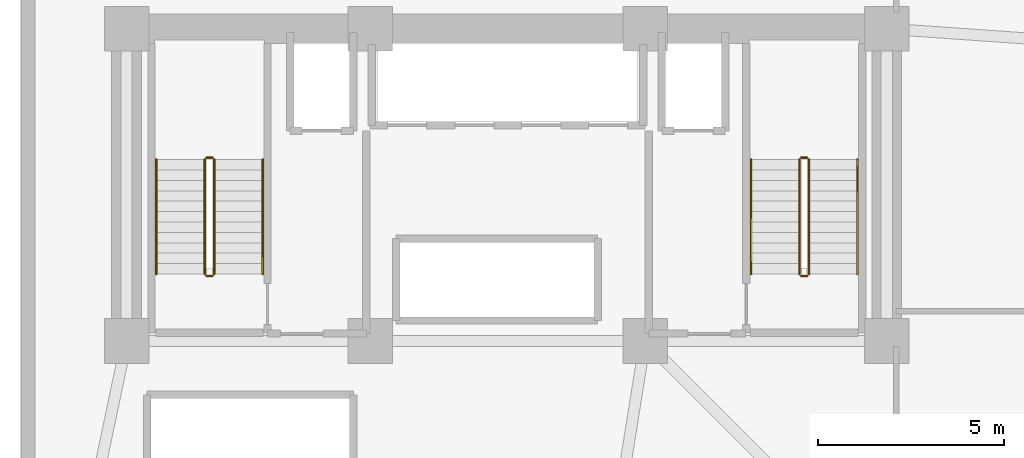
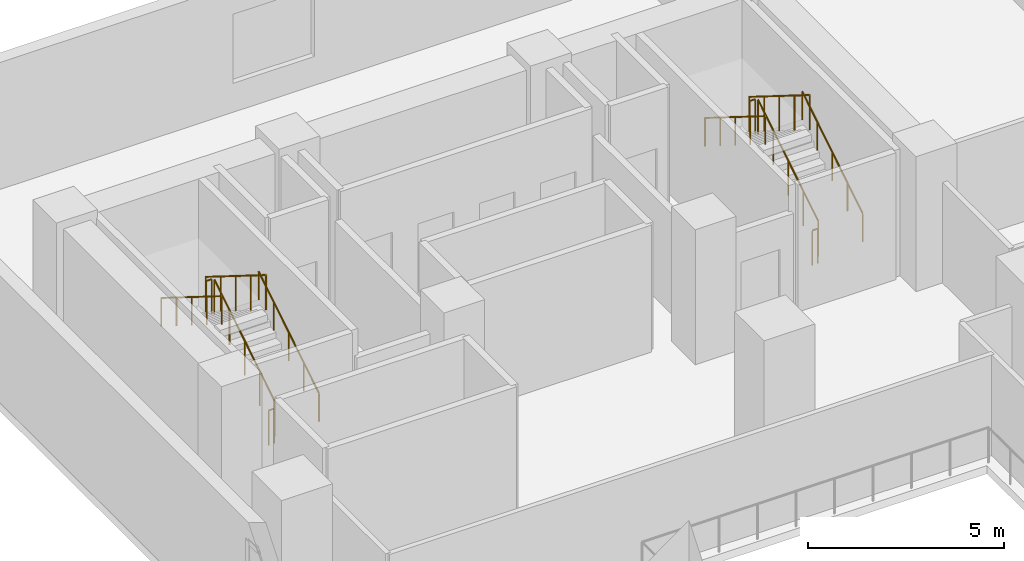
# One storey, part 13 of 14: 12 railings.
"""IFC4 building model written with IfcOpenShell, lengths in metres."""

from ifc_helpers import new_model, si_unit, direction, frame, origin, origin_2d, place, context, subcontext, project, spatial, circle, extrude, material, layer, layer_set, type_object, element, save


model = new_model("IFC4")

# Units and contexts
model_context = context("Model", 3, precision=1e-05, world=origin(), true_north=direction((0.0, 1.0)))
body_context = subcontext(model_context, "Body", "Model", "MODEL_VIEW")
ifc_project = project(units=[si_unit("LENGTHUNIT", "METRE"), si_unit("AREAUNIT", "SQUARE_METRE"), si_unit("VOLUMEUNIT", "CUBIC_METRE"), si_unit("PLANEANGLEUNIT", "RADIAN"), si_unit("MASSUNIT", "GRAM", prefix="KILO")], contexts=[model_context])

# Site, building, storey
site_placement = place(None, origin())
site = spatial("IfcSite", under=ifc_project, at=site_placement, CompositionType="ELEMENT")
building_placement = place(site_placement, origin())
building = spatial("IfcBuilding", under=site, at=building_placement, Name="Kuzgunbayir Cultural Tower", CompositionType="ELEMENT")
storey_placement = place(building_placement, frame((0.0, 0.0, 8.800048828125)))
storey = spatial("IfcBuildingStorey", under=building, at=storey_placement, Name="L02", CompositionType="ELEMENT", Elevation=8.800048828125)

# Railings
ifc_material_1 = material(Name="Brushed Stainless Steel", Category="steel")
ifc_layer_1 = layer(ifc_material_1, 0.050048828125)
ifc_layer_set_1 = layer_set([ifc_layer_1], Name="Brushed Stainless Steel")
railing_type_1 = type_object("IfcRailingType", Name="RLG-STAIR-HANDRAIL", PredefinedType="HANDRAIL", material=ifc_layer_set_1)
railing_1_placement = place(storey_placement, frame((10.110107421875, 35.60009765625, 0.175048828125)))
element("IfcRailing", 1, at=railing_1_placement, inside=storey, type_object=railing_type_1, Name="L02 ST-1 stair handrail 1", PredefinedType="HANDRAIL", context=body_context, shape_type="SweptSolid", body=[
    extrude(circle(Radius=0.02392578125, at=origin_2d()), frame((0.0, 0.0, 0.8759765625), z_axis=(0.0, 0.848009633417, 0.529980812513), x_axis=(-1.0, 0.0, 0.0)), (0.0, 0.0, 1.0), 3.6318359375),
    extrude(circle(Radius=0.02099609375, at=origin_2d()), origin(), (0.0, 0.0, 1.0), 0.851806640625),
    extrude(circle(Radius=0.02099609375, at=origin_2d()), frame((0.0, 0.77001953125, 0.481201171875)), (0.0, 0.0, 1.0), 0.851806640625),
    extrude(circle(Radius=0.02099609375, at=origin_2d()), frame((0.0, 1.5400390625, 0.96240234375)), (0.0, 0.0, 1.0), 0.851806640625),
    extrude(circle(Radius=0.02099609375, at=origin_2d()), frame((0.0, 2.309814453125, 1.443603515625)), (0.0, 0.0, 1.0), 0.851806640625),
    extrude(circle(Radius=0.02099609375, at=origin_2d()), frame((0.0, 3.079833984375, 1.9248046875)), (0.0, 0.0, 1.0), 0.851806640625),
])
railing_2_placement = place(storey_placement, frame((7.25, 38.679931640625, 2.27490234375)))
element("IfcRailing", 2, at=railing_2_placement, inside=storey, type_object=railing_type_1, Name="L02 ST-1 stair handrail 2", PredefinedType="HANDRAIL", context=body_context, shape_type="SweptSolid", body=[
    extrude(circle(Radius=0.02392578125, at=origin_2d()), frame((0.0, 0.0, 0.8759765625), z_axis=(0.0, -0.847979421464, 0.530029150871), x_axis=(1.0, 0.0, 0.0)), (0.0, 0.0, 1.0), 3.632080078125),
    extrude(circle(Radius=0.02099609375, at=origin_2d()), origin(), (0.0, 0.0, 1.0), 0.851806640625),
    extrude(circle(Radius=0.02099609375, at=origin_2d()), frame((0.0, -0.77001953125, 0.481201171875)), (0.0, 0.0, 1.0), 0.851806640625),
    extrude(circle(Radius=0.02099609375, at=origin_2d()), frame((0.0, -1.5400390625, 0.96240234375)), (0.0, 0.0, 1.0), 0.851806640625),
    extrude(circle(Radius=0.02099609375, at=origin_2d()), frame((0.0, -2.309814453125, 1.44384765625)), (0.0, 0.0, 1.0), 0.851806640625),
    extrude(circle(Radius=0.02099609375, at=origin_2d()), frame((0.0, -3.079833984375, 1.925048828125)), (0.0, 0.0, 1.0), 0.851806640625),
])
railing_3_placement = place(storey_placement, frame((26.110107421875, 35.60009765625, 0.175048828125)))
element("IfcRailing", 3, at=railing_3_placement, inside=storey, type_object=railing_type_1, Name="L02 ST-2 stair handrail 1", PredefinedType="HANDRAIL", context=body_context, shape_type="SweptSolid", body=[
    extrude(circle(Radius=0.02392578125, at=origin_2d()), frame((0.0, 0.0, 0.8759765625), z_axis=(0.0, 0.848009633417, 0.529980812513), x_axis=(-1.0, 0.0, 0.0)), (0.0, 0.0, 1.0), 3.6318359375),
    extrude(circle(Radius=0.02099609375, at=origin_2d()), origin(), (0.0, 0.0, 1.0), 0.851806640625),
    extrude(circle(Radius=0.02099609375, at=origin_2d()), frame((0.0, 0.77001953125, 0.481201171875)), (0.0, 0.0, 1.0), 0.851806640625),
    extrude(circle(Radius=0.02099609375, at=origin_2d()), frame((0.0, 1.5400390625, 0.96240234375)), (0.0, 0.0, 1.0), 0.851806640625),
    extrude(circle(Radius=0.02099609375, at=origin_2d()), frame((0.0, 2.309814453125, 1.443603515625)), (0.0, 0.0, 1.0), 0.851806640625),
    extrude(circle(Radius=0.02099609375, at=origin_2d()), frame((0.0, 3.079833984375, 1.9248046875)), (0.0, 0.0, 1.0), 0.851806640625),
])
railing_4_placement = place(storey_placement, frame((23.25, 38.679931640625, 2.27490234375)))
element("IfcRailing", 4, at=railing_4_placement, inside=storey, type_object=railing_type_1, Name="L02 ST-2 stair handrail 2", PredefinedType="HANDRAIL", context=body_context, shape_type="SweptSolid", body=[
    extrude(circle(Radius=0.02392578125, at=origin_2d()), frame((0.0, 0.0, 0.8759765625), z_axis=(0.0, -0.847979421464, 0.530029150871), x_axis=(1.0, 0.0, 0.0)), (0.0, 0.0, 1.0), 3.632080078125),
    extrude(circle(Radius=0.02099609375, at=origin_2d()), origin(), (0.0, 0.0, 1.0), 0.851806640625),
    extrude(circle(Radius=0.02099609375, at=origin_2d()), frame((0.0, -0.77001953125, 0.481201171875)), (0.0, 0.0, 1.0), 0.851806640625),
    extrude(circle(Radius=0.02099609375, at=origin_2d()), frame((0.0, -1.5400390625, 0.96240234375)), (0.0, 0.0, 1.0), 0.851806640625),
    extrude(circle(Radius=0.02099609375, at=origin_2d()), frame((0.0, -2.309814453125, 1.44384765625)), (0.0, 0.0, 1.0), 0.851806640625),
    extrude(circle(Radius=0.02099609375, at=origin_2d()), frame((0.0, -3.079833984375, 1.925048828125)), (0.0, 0.0, 1.0), 0.851806640625),
])
ifc_material_2 = material(Name="Painted Steel Balustrade", Category="steel")
ifc_layer_2 = layer(ifc_material_2, 0.06005859375)
ifc_layer_set_2 = layer_set([ifc_layer_2], Name="Painted Steel Balustrade")
railing_type_2 = type_object("IfcRailingType", Name="RLG-WELL-GUARD", PredefinedType="GUARDRAIL", material=ifc_layer_set_2)
railing_5_placement = place(storey_placement, frame((8.81005859375, 35.60009765625, 0.175048828125)))
element("IfcRailing", 5, at=railing_5_placement, inside=storey, type_object=railing_type_2, Name="L02 ST-1 stair guard 1", PredefinedType="GUARDRAIL", context=body_context, shape_type="SweptSolid", body=[
    extrude(circle(Radius=0.02392578125, at=origin_2d()), frame((0.0, 0.0, 1.076171875), z_axis=(0.0, 0.848009633417, 0.529980812513), x_axis=(-1.0, 0.0, 0.0)), (0.0, 0.0, 1.0), 3.6318359375),
    extrude(circle(Radius=0.02099609375, at=origin_2d()), origin(), (0.0, 0.0, 1.0), 1.052001953125),
    extrude(circle(Radius=0.02099609375, at=origin_2d()), frame((0.0, 0.77001953125, 0.481201171875)), (0.0, 0.0, 1.0), 1.052001953125),
    extrude(circle(Radius=0.02099609375, at=origin_2d()), frame((0.0, 1.5400390625, 0.96240234375)), (0.0, 0.0, 1.0), 1.052001953125),
    extrude(circle(Radius=0.02099609375, at=origin_2d()), frame((0.0, 2.309814453125, 1.443603515625)), (0.0, 0.0, 1.0), 1.052001953125),
    extrude(circle(Radius=0.02099609375, at=origin_2d()), frame((0.0, 3.079833984375, 1.9248046875)), (0.0, 0.0, 1.0), 1.052001953125),
])
railing_6_placement = place(storey_placement, frame((8.760009765625, 38.72998046875, 2.099853515625)))
element("IfcRailing", 6, at=railing_6_placement, inside=storey, type_object=railing_type_2, Name="L02 ST-1 stair guard 2", PredefinedType="GUARDRAIL", context=body_context, shape_type="SweptSolid", body=[
    extrude(circle(Radius=0.02392578125, at=origin_2d()), frame((0.0, 0.0, 1.076171875), z_axis=(-1.0, 0.0, 0.0), x_axis=(0.0, -1.0, 0.0)), (0.0, 0.0, 1.0), 0.159912109375),
    extrude(circle(Radius=0.02099609375, at=origin_2d()), origin(), (0.0, 0.0, 1.0), 1.052001953125),
    extrude(circle(Radius=0.02099609375, at=origin_2d()), frame((-0.159912109375, 0.0, 0.0)), (0.0, 0.0, 1.0), 1.052001953125),
])
railing_7_placement = place(storey_placement, frame((8.550048828125, 38.679931640625, 2.27490234375)))
element("IfcRailing", 7, at=railing_7_placement, inside=storey, type_object=railing_type_2, Name="L02 ST-1 stair guard 3", PredefinedType="GUARDRAIL", context=body_context, shape_type="SweptSolid", body=[
    extrude(circle(Radius=0.02392578125, at=origin_2d()), frame((0.0, 0.0, 1.076171875), z_axis=(0.0, -0.847979421464, 0.530029150871), x_axis=(1.0, 0.0, 0.0)), (0.0, 0.0, 1.0), 3.632080078125),
    extrude(circle(Radius=0.02099609375, at=origin_2d()), origin(), (0.0, 0.0, 1.0), 1.052001953125),
    extrude(circle(Radius=0.02099609375, at=origin_2d()), frame((0.0, -0.77001953125, 0.481201171875)), (0.0, 0.0, 1.0), 1.052001953125),
    extrude(circle(Radius=0.02099609375, at=origin_2d()), frame((0.0, -1.5400390625, 0.96240234375)), (0.0, 0.0, 1.0), 1.052001953125),
    extrude(circle(Radius=0.02099609375, at=origin_2d()), frame((0.0, -2.309814453125, 1.44384765625)), (0.0, 0.0, 1.0), 1.052001953125),
    extrude(circle(Radius=0.02099609375, at=origin_2d()), frame((0.0, -3.079833984375, 1.925048828125)), (0.0, 0.0, 1.0), 1.052001953125),
])
railing_8_placement = place(storey_placement, frame((8.760009765625, 35.550048828125, 0.0)))
element("IfcRailing", 8, at=railing_8_placement, inside=storey, type_object=railing_type_2, Name="L02 ST-1 stair guard 4", PredefinedType="GUARDRAIL", context=body_context, shape_type="SweptSolid", body=[
    extrude(circle(Radius=0.02392578125, at=origin_2d()), frame((0.0, 0.0, 1.076171875), z_axis=(-1.0, 0.0, 0.0), x_axis=(0.0, -1.0, 0.0)), (0.0, 0.0, 1.0), 0.159912109375),
    extrude(circle(Radius=0.02099609375, at=origin_2d()), origin(), (0.0, 0.0, 1.0), 1.052001953125),
    extrude(circle(Radius=0.02099609375, at=origin_2d()), frame((-0.159912109375, 0.0, 0.0)), (0.0, 0.0, 1.0), 1.052001953125),
])
railing_9_placement = place(storey_placement, frame((24.81005859375, 35.60009765625, 0.175048828125)))
element("IfcRailing", 9, at=railing_9_placement, inside=storey, type_object=railing_type_2, Name="L02 ST-2 stair guard 1", PredefinedType="GUARDRAIL", context=body_context, shape_type="SweptSolid", body=[
    extrude(circle(Radius=0.02392578125, at=origin_2d()), frame((0.0, 0.0, 1.076171875), z_axis=(0.0, 0.848009633417, 0.529980812513), x_axis=(-1.0, 0.0, 0.0)), (0.0, 0.0, 1.0), 3.6318359375),
    extrude(circle(Radius=0.02099609375, at=origin_2d()), origin(), (0.0, 0.0, 1.0), 1.052001953125),
    extrude(circle(Radius=0.02099609375, at=origin_2d()), frame((0.0, 0.77001953125, 0.481201171875)), (0.0, 0.0, 1.0), 1.052001953125),
    extrude(circle(Radius=0.02099609375, at=origin_2d()), frame((0.0, 1.5400390625, 0.96240234375)), (0.0, 0.0, 1.0), 1.052001953125),
    extrude(circle(Radius=0.02099609375, at=origin_2d()), frame((0.0, 2.309814453125, 1.443603515625)), (0.0, 0.0, 1.0), 1.052001953125),
    extrude(circle(Radius=0.02099609375, at=origin_2d()), frame((0.0, 3.079833984375, 1.9248046875)), (0.0, 0.0, 1.0), 1.052001953125),
])
railing_10_placement = place(storey_placement, frame((24.760009765625, 38.72998046875, 2.099853515625)))
element("IfcRailing", 10, at=railing_10_placement, inside=storey, type_object=railing_type_2, Name="L02 ST-2 stair guard 2", PredefinedType="GUARDRAIL", context=body_context, shape_type="SweptSolid", body=[
    extrude(circle(Radius=0.02392578125, at=origin_2d()), frame((0.0, 0.0, 1.076171875), z_axis=(-1.0, 0.0, 0.0), x_axis=(0.0, -1.0, 0.0)), (0.0, 0.0, 1.0), 0.159912109375),
    extrude(circle(Radius=0.02099609375, at=origin_2d()), origin(), (0.0, 0.0, 1.0), 1.052001953125),
    extrude(circle(Radius=0.02099609375, at=origin_2d()), frame((-0.159912109375, 0.0, 0.0)), (0.0, 0.0, 1.0), 1.052001953125),
])
railing_11_placement = place(storey_placement, frame((24.550048828125, 38.679931640625, 2.27490234375)))
element("IfcRailing", 11, at=railing_11_placement, inside=storey, type_object=railing_type_2, Name="L02 ST-2 stair guard 3", PredefinedType="GUARDRAIL", context=body_context, shape_type="SweptSolid", body=[
    extrude(circle(Radius=0.02392578125, at=origin_2d()), frame((0.0, 0.0, 1.076171875), z_axis=(0.0, -0.847979421464, 0.530029150871), x_axis=(1.0, 0.0, 0.0)), (0.0, 0.0, 1.0), 3.632080078125),
    extrude(circle(Radius=0.02099609375, at=origin_2d()), origin(), (0.0, 0.0, 1.0), 1.052001953125),
    extrude(circle(Radius=0.02099609375, at=origin_2d()), frame((0.0, -0.77001953125, 0.481201171875)), (0.0, 0.0, 1.0), 1.052001953125),
    extrude(circle(Radius=0.02099609375, at=origin_2d()), frame((0.0, -1.5400390625, 0.96240234375)), (0.0, 0.0, 1.0), 1.052001953125),
    extrude(circle(Radius=0.02099609375, at=origin_2d()), frame((0.0, -2.309814453125, 1.44384765625)), (0.0, 0.0, 1.0), 1.052001953125),
    extrude(circle(Radius=0.02099609375, at=origin_2d()), frame((0.0, -3.079833984375, 1.925048828125)), (0.0, 0.0, 1.0), 1.052001953125),
])
railing_12_placement = place(storey_placement, frame((24.760009765625, 35.550048828125, 0.0)))
element("IfcRailing", 12, at=railing_12_placement, inside=storey, type_object=railing_type_2, Name="L02 ST-2 stair guard 4", PredefinedType="GUARDRAIL", context=body_context, shape_type="SweptSolid", body=[
    extrude(circle(Radius=0.02392578125, at=origin_2d()), frame((0.0, 0.0, 1.076171875), z_axis=(-1.0, 0.0, 0.0), x_axis=(0.0, -1.0, 0.0)), (0.0, 0.0, 1.0), 0.159912109375),
    extrude(circle(Radius=0.02099609375, at=origin_2d()), origin(), (0.0, 0.0, 1.0), 1.052001953125),
    extrude(circle(Radius=0.02099609375, at=origin_2d()), frame((-0.159912109375, 0.0, 0.0)), (0.0, 0.0, 1.0), 1.052001953125),
])

save(model, "model.ifc")
